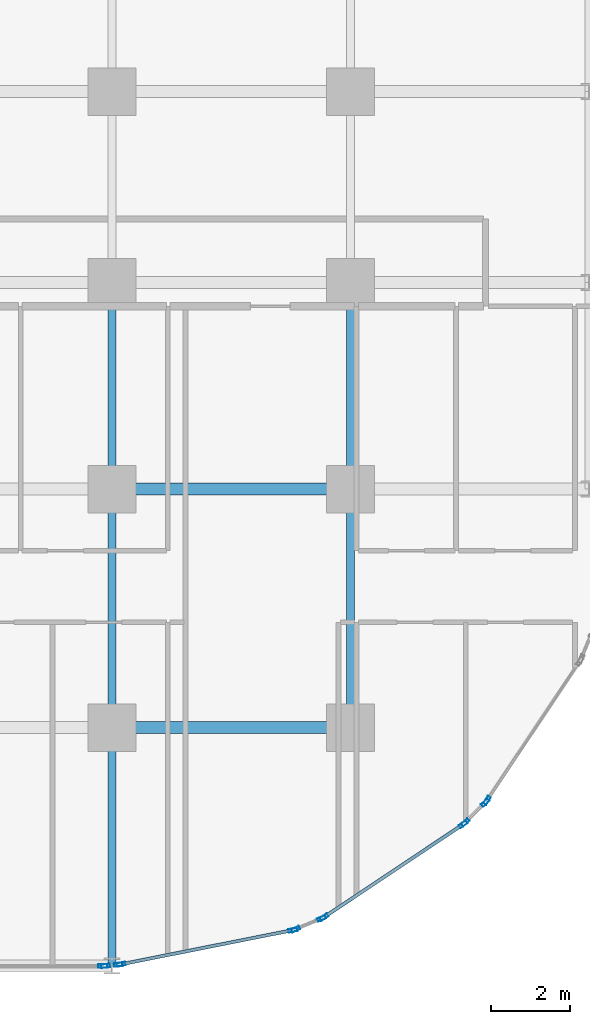
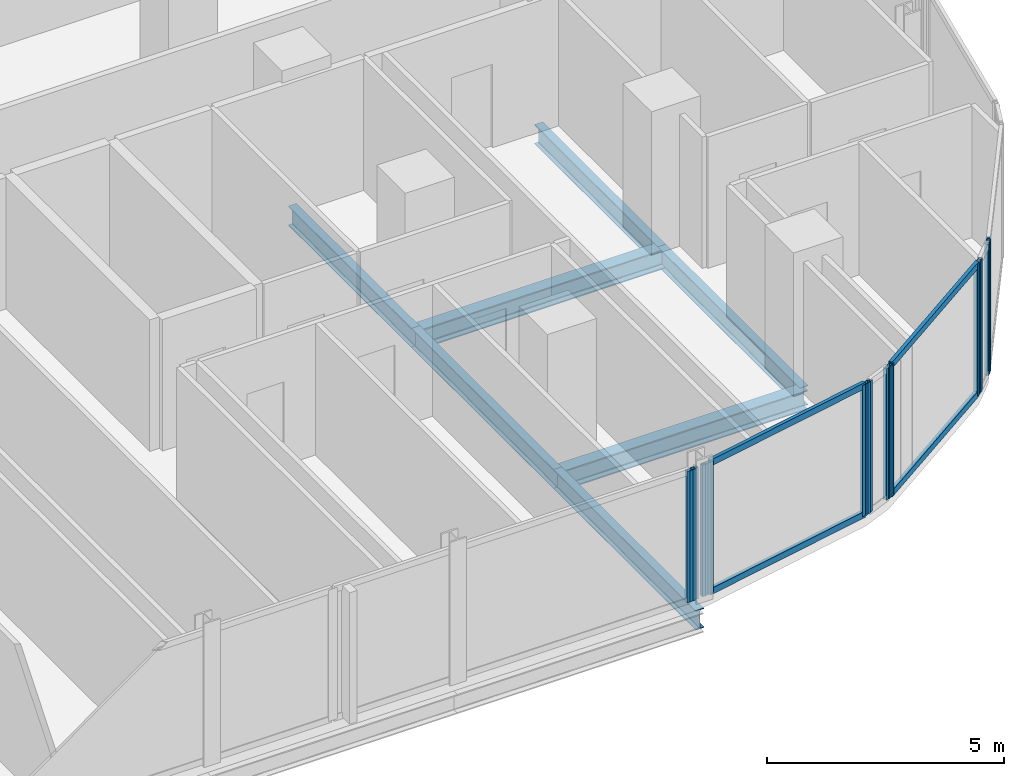
# One storey, part 10 of 34: 16 members, 7 beams, 7 elements without a shape of their own.
"""IFC4 building model written with IfcOpenShell, lengths in metres."""

from ifc_helpers import new_model, si_unit, direction, frame, origin, origin_2d, place, context, subcontext, project, spatial, hollow_rectangle, i_section, extrude, material, layer, layer_set, material_profile, profile_set, type_object, element, aggregate, save


model = new_model("IFC4")

# Units and contexts
model_context = context("Model", 3, precision=1e-05, world=origin(), true_north=direction((0.0, 1.0)))
body_context = subcontext(model_context, "Body", "Model", "MODEL_VIEW")
ifc_project = project(units=[si_unit("LENGTHUNIT", "METRE"), si_unit("AREAUNIT", "SQUARE_METRE"), si_unit("VOLUMEUNIT", "CUBIC_METRE"), si_unit("PLANEANGLEUNIT", "RADIAN"), si_unit("MASSUNIT", "GRAM", prefix="KILO")], contexts=[model_context])

# Site, building, storey
site_placement = place(None, origin())
site = spatial("IfcSite", under=ifc_project, at=site_placement, CompositionType="ELEMENT")
building_placement = place(site_placement, origin())
building = spatial("IfcBuilding", under=site, at=building_placement, Name="Keshet Zoharim Tower", CompositionType="ELEMENT")
storey_placement = place(building_placement, frame((0.0, 0.0, 53.60009765625)))
storey = spatial("IfcBuildingStorey", under=building, at=storey_placement, Name="L12", CompositionType="ELEMENT", Elevation=53.60009765625)

# Beams
ifc_material_1 = material(Name="Steel S355", Category="steel")
ifc_material_profile_1 = material_profile(ifc_material_1, i_section(OverallWidth=0.199951171875, OverallDepth=0.5, WebThickness=0.01025390625, FlangeThickness=0.01611328125, FilletRadius=0.02099609375, at=origin_2d()), Name="IPE500")
ifc_profile_set_1 = profile_set([ifc_material_profile_1], Name="Steel S355")
beam_type_1 = type_object("IfcBeamType", Name="BM-PRI-IP500", PredefinedType="BEAM", material=ifc_profile_set_1)
for number, where, z_axis, x_axis, name in (
    (1, (57.0, 0.699951171875, -0.565185546875), (0.0, 1.0, 0.0), (-1.0, 0.0, 0.0), "L12 Primary Girder Y-013"),
    (2, (57.0, 6.699951171875, -0.565185546875), (0.0, 1.0, 0.0), (-1.0, 0.0, 0.0), "L12 Primary Girder Y-014"),
):
    element("IfcBeam", number, at=place(storey_placement, frame(where, z_axis=z_axis, x_axis=x_axis)), inside=storey, type_object=beam_type_1, Name=name, PredefinedType="BEAM", context=body_context, shape_type="SweptSolid", body=[
        extrude(i_section(OverallWidth=0.199951171875, OverallDepth=0.5, WebThickness=0.01025390625, FlangeThickness=0.01611328125, FilletRadius=0.02099609375, at=origin_2d()), origin(), (0.0, 0.0, 1.0), 6.0),
    ])
beam_1_placement = place(storey_placement, frame((57.0, 12.699951171875, -0.565185546875), z_axis=(0.0, 1.0, 0.0), x_axis=(-1.0, 0.0, 0.0)))
element("IfcBeam", 3, at=beam_1_placement, inside=storey, type_object=beam_type_1, Name="L12 Primary Girder Y-015", PredefinedType="BEAM", context=body_context, shape_type="SweptSolid", body=[
    extrude(i_section(OverallWidth=0.199951171875, OverallDepth=0.5, WebThickness=0.01025390625, FlangeThickness=0.01611328125, FilletRadius=0.02099609375, at=origin_2d()), origin(), (0.0, 0.0, 1.0), 5.199951171875),
])
beam_2_placement = place(storey_placement, frame((63.0, 6.699951171875, -0.565185546875), z_axis=(0.0, 1.0, 0.0), x_axis=(-1.0, 0.0, 0.0)))
element("IfcBeam", 4, at=beam_2_placement, inside=storey, type_object=beam_type_1, Name="L12 Primary Girder Y-018", PredefinedType="BEAM", context=body_context, shape_type="SweptSolid", body=[
    extrude(i_section(OverallWidth=0.199951171875, OverallDepth=0.5, WebThickness=0.01025390625, FlangeThickness=0.01611328125, FilletRadius=0.02099609375, at=origin_2d()), origin(), (0.0, 0.0, 1.0), 6.0),
])
beam_3_placement = place(storey_placement, frame((63.0, 12.699951171875, -0.565185546875), z_axis=(0.0, 1.0, 0.0), x_axis=(-1.0, 0.0, 0.0)))
element("IfcBeam", 5, at=beam_3_placement, inside=storey, type_object=beam_type_1, Name="L12 Primary Girder Y-019", PredefinedType="BEAM", context=body_context, shape_type="SweptSolid", body=[
    extrude(i_section(OverallWidth=0.199951171875, OverallDepth=0.5, WebThickness=0.01025390625, FlangeThickness=0.01611328125, FilletRadius=0.02099609375, at=origin_2d()), origin(), (0.0, 0.0, 1.0), 5.199951171875),
])
ifc_material_profile_2 = material_profile(ifc_material_1, i_section(OverallWidth=0.300048828125, OverallDepth=0.5, WebThickness=0.014404296875, FlangeThickness=0.028076171875, FilletRadius=0.027099609375, at=origin_2d()), Name="HEB500")
ifc_profile_set_2 = profile_set([ifc_material_profile_2], Name="Steel S355")
beam_type_2 = type_object("IfcBeamType", Name="BM-WEB-HB500", PredefinedType="BEAM", material=ifc_profile_set_2)
for number, where, z_axis, x_axis, name in (
    (6, (57.0, 6.699951171875, -0.565185546875), (1.0, 0.0, 0.0), (0.0, 1.0, 0.0), "L12 Primary Girder X-010"),
    (7, (57.0, 12.699951171875, -0.565185546875), (1.0, 0.0, 0.0), (0.0, 1.0, 0.0), "L12 Primary Girder X-013"),
):
    element("IfcBeam", number, at=place(storey_placement, frame(where, z_axis=z_axis, x_axis=x_axis)), inside=storey, type_object=beam_type_2, Name=name, PredefinedType="BEAM", context=body_context, shape_type="SweptSolid", body=[
        extrude(i_section(OverallWidth=0.300048828125, OverallDepth=0.5, WebThickness=0.014404296875, FlangeThickness=0.028076171875, FilletRadius=0.027099609375, at=origin_2d()), origin(), (0.0, 0.0, 1.0), 6.0),
    ])

# Curtain wall, member
ifc_material_2 = material(Name="Aluminium 6063-T6", Category="aluminium")
ifc_layer = layer(ifc_material_2, 0.179931640625)
ifc_layer_set = layer_set([ifc_layer], Name="Aluminium 6063-T6")
curtain_wall_type = type_object("IfcCurtainWallType", Name="CW-SYS-01", PredefinedType="NOTDEFINED", material=ifc_layer_set)
curtain_wall_1_placement = place(storey_placement, origin())
curtain_wall_1 = element("IfcCurtainWall", 8, at=curtain_wall_1_placement, inside=storey, type_object=curtain_wall_type, Name="L12 Unitised Curtain Wall 20", PredefinedType="NOTDEFINED")
ifc_material_profile_3 = material_profile(ifc_material_2, hollow_rectangle(XDim=0.090087890625, YDim=0.219970703125, WallThickness=0.0048828125, at=origin_2d()), Name="MUL-90x220")
ifc_profile_set_3 = profile_set([ifc_material_profile_3], Name="Aluminium 6063-T6")
member_type_1 = type_object("IfcMemberType", Name="CWM-M22", PredefinedType="MULLION", material=ifc_profile_set_3)
member_1_placement = place(storey_placement, frame((66.432373046875, 4.8671875, 0.0), z_axis=(0.0, 0.0, 1.0), x_axis=(0.831474282335, -0.555563243758, 0.0)))
member_1 = element("IfcMember", 9, at=member_1_placement, type_object=member_type_1, Name="CW-01 mullion 2", PredefinedType="MULLION", context=body_context, shape_type="SweptSolid", body=[
    extrude(hollow_rectangle(XDim=0.090087890625, YDim=0.219970703125, WallThickness=0.0048828125, at=origin_2d()), origin(), (0.0, 0.0, 1.0), 3.385009765625),
])
aggregate(curtain_wall_1, [member_1])

# Curtain wall, members
curtain_wall_2_placement = place(storey_placement, origin())
curtain_wall_2 = element("IfcCurtainWall", 10, at=curtain_wall_2_placement, inside=storey, type_object=curtain_wall_type, Name="L12 Unitised Curtain Wall 21", PredefinedType="NOTDEFINED")
member_2_placement = place(storey_placement, frame((66.38818359375, 4.813232421875, 0.0), z_axis=(0.0, 0.0, 1.0), x_axis=(0.707106781187, -0.707106781187, 0.0)))
member_2 = element("IfcMember", 11, at=member_2_placement, type_object=member_type_1, Name="CW-01 mullion 1", PredefinedType="MULLION", context=body_context, shape_type="SweptSolid", body=[
    extrude(hollow_rectangle(XDim=0.090087890625, YDim=0.219970703125, WallThickness=0.0048828125, at=origin_2d()), origin(), (0.0, 0.0, 1.0), 3.385009765625),
])
member_3_placement = place(storey_placement, frame((65.88671875, 4.311767578125, 0.0), z_axis=(0.0, 0.0, 1.0), x_axis=(0.707106781187, -0.707106781187, 0.0)))
member_3 = element("IfcMember", 12, at=member_3_placement, type_object=member_type_1, Name="CW-01 mullion 2", PredefinedType="MULLION", context=body_context, shape_type="SweptSolid", body=[
    extrude(hollow_rectangle(XDim=0.090087890625, YDim=0.219970703125, WallThickness=0.0048828125, at=origin_2d()), origin(), (0.0, 0.0, 1.0), 3.385009765625),
])
aggregate(curtain_wall_2, [member_2, member_3])

curtain_wall_3_placement = place(storey_placement, origin())
curtain_wall_3 = element("IfcCurtainWall", 13, at=curtain_wall_3_placement, inside=storey, type_object=curtain_wall_type, Name="L12 Unitised Curtain Wall 22", PredefinedType="NOTDEFINED")
member_4_placement = place(storey_placement, frame((65.8330078125, 4.267578125, 0.0), z_axis=(0.0, 0.0, 1.0), x_axis=(0.555563243758, -0.831474282335, 0.0)))
member_4 = element("IfcMember", 14, at=member_4_placement, type_object=member_type_1, Name="CW-01 mullion 1", PredefinedType="MULLION", context=body_context, shape_type="SweptSolid", body=[
    extrude(hollow_rectangle(XDim=0.090087890625, YDim=0.219970703125, WallThickness=0.0048828125, at=origin_2d()), origin(), (0.0, 0.0, 1.0), 3.385009765625),
])
member_5_placement = place(storey_placement, frame((62.335205078125, 1.930419921875, 0.0), z_axis=(0.0, 0.0, 1.0), x_axis=(0.555563243758, -0.831474282335, 0.0)))
member_5 = element("IfcMember", 15, at=member_5_placement, type_object=member_type_1, Name="CW-01 mullion 2", PredefinedType="MULLION", context=body_context, shape_type="SweptSolid", body=[
    extrude(hollow_rectangle(XDim=0.090087890625, YDim=0.219970703125, WallThickness=0.0048828125, at=origin_2d()), origin(), (0.0, 0.0, 1.0), 3.385009765625),
])

curtain_wall_4_placement = place(storey_placement, origin())
curtain_wall_4 = element("IfcCurtainWall", 16, at=curtain_wall_4_placement, inside=storey, type_object=curtain_wall_type, Name="L12 Unitised Curtain Wall 23", PredefinedType="NOTDEFINED")
member_6_placement = place(storey_placement, frame((62.273681640625, 1.897705078125, 0.0), z_axis=(0.0, 0.0, 1.0), x_axis=(0.383068349739, -0.923720000557, 0.0)))
member_6 = element("IfcMember", 17, at=member_6_placement, type_object=member_type_1, Name="CW-01 mullion 1", PredefinedType="MULLION", context=body_context, shape_type="SweptSolid", body=[
    extrude(hollow_rectangle(XDim=0.090087890625, YDim=0.219970703125, WallThickness=0.0048828125, at=origin_2d()), origin(), (0.0, 0.0, 1.0), 3.385009765625),
])
member_7_placement = place(storey_placement, frame((61.617431640625, 1.62548828125, 0.0), z_axis=(0.0, 0.0, 1.0), x_axis=(0.383068349739, -0.923720000557, 0.0)))
member_7 = element("IfcMember", 18, at=member_7_placement, type_object=member_type_1, Name="CW-01 mullion 2", PredefinedType="MULLION", context=body_context, shape_type="SweptSolid", body=[
    extrude(hollow_rectangle(XDim=0.090087890625, YDim=0.219970703125, WallThickness=0.0048828125, at=origin_2d()), origin(), (0.0, 0.0, 1.0), 3.385009765625),
])
aggregate(curtain_wall_4, [member_6, member_7])

curtain_wall_5_placement = place(storey_placement, origin())
curtain_wall_5 = element("IfcCurtainWall", 19, at=curtain_wall_5_placement, inside=storey, type_object=curtain_wall_type, Name="L12 Unitised Curtain Wall 24", PredefinedType="NOTDEFINED")
member_8_placement = place(storey_placement, frame((61.55078125, 1.605224609375, 0.0), z_axis=(0.0, 0.0, 1.0), x_axis=(0.195171279072, -0.98076917357, 0.0)))
member_8 = element("IfcMember", 20, at=member_8_placement, type_object=member_type_1, Name="CW-01 mullion 1", PredefinedType="MULLION", context=body_context, shape_type="SweptSolid", body=[
    extrude(hollow_rectangle(XDim=0.090087890625, YDim=0.219970703125, WallThickness=0.0048828125, at=origin_2d()), origin(), (0.0, 0.0, 1.0), 3.385009765625),
])
member_9_placement = place(storey_placement, frame((57.227294921875, 0.744873046875, 0.0), z_axis=(0.0, 0.0, 1.0), x_axis=(0.195171279072, -0.98076917357, 0.0)))
member_9 = element("IfcMember", 21, at=member_9_placement, type_object=member_type_1, Name="CW-01 mullion 2", PredefinedType="MULLION", context=body_context, shape_type="SweptSolid", body=[
    extrude(hollow_rectangle(XDim=0.090087890625, YDim=0.219970703125, WallThickness=0.0048828125, at=origin_2d()), origin(), (0.0, 0.0, 1.0), 3.385009765625),
])

curtain_wall_6_placement = place(storey_placement, origin())
curtain_wall_6 = element("IfcCurtainWall", 22, at=curtain_wall_6_placement, inside=storey, type_object=curtain_wall_type, Name="L12 Unitised Curtain Wall 25", PredefinedType="NOTDEFINED")
member_10_placement = place(storey_placement, frame((57.158203125, 0.734619140625, 0.0), z_axis=(0.0, 0.0, 1.0), x_axis=(0.096976648633, -0.995286657009, 0.0)))
member_10 = element("IfcMember", 23, at=member_10_placement, type_object=member_type_1, Name="CW-01 mullion 1", PredefinedType="MULLION", context=body_context, shape_type="SweptSolid", body=[
    extrude(hollow_rectangle(XDim=0.090087890625, YDim=0.219970703125, WallThickness=0.0048828125, at=origin_2d()), origin(), (0.0, 0.0, 1.0), 3.385009765625),
])
member_11_placement = place(storey_placement, frame((56.837890625, 0.703369140625, 0.0), z_axis=(0.0, 0.0, 1.0), x_axis=(0.096976648633, -0.995286657009, 0.0)))
member_11 = element("IfcMember", 24, at=member_11_placement, type_object=member_type_1, Name="CW-01 mullion 2", PredefinedType="MULLION", context=body_context, shape_type="SweptSolid", body=[
    extrude(hollow_rectangle(XDim=0.090087890625, YDim=0.219970703125, WallThickness=0.0048828125, at=origin_2d()), origin(), (0.0, 0.0, 1.0), 3.385009765625),
])
aggregate(curtain_wall_6, [member_10, member_11])

# Curtain wall, member
curtain_wall_7_placement = place(storey_placement, origin())
curtain_wall_7 = element("IfcCurtainWall", 25, at=curtain_wall_7_placement, inside=storey, type_object=curtain_wall_type, Name="L12 Unitised Curtain Wall 26", PredefinedType="NOTDEFINED")
member_12_placement = place(storey_placement, frame((56.76806640625, 0.699951171875, 0.0), z_axis=(0.0, 0.0, 1.0), x_axis=(0.0, -1.0, 0.0)))
member_12 = element("IfcMember", 26, at=member_12_placement, type_object=member_type_1, Name="CW-01 mullion 1", PredefinedType="MULLION", context=body_context, shape_type="SweptSolid", body=[
    extrude(hollow_rectangle(XDim=0.090087890625, YDim=0.219970703125, WallThickness=0.0048828125, at=origin_2d()), origin(), (0.0, 0.0, 1.0), 3.385009765625),
])
aggregate(curtain_wall_7, [member_12])

# Member
ifc_material_profile_4 = material_profile(ifc_material_2, hollow_rectangle(XDim=0.0849609375, YDim=0.159912109375, WallThickness=0.00439453125, at=origin_2d()), Name="TRN-85x160")
ifc_profile_set_4 = profile_set([ifc_material_profile_4], Name="Aluminium 6063-T6")
member_type_2 = type_object("IfcMemberType", Name="CWT-T16", PredefinedType="USERDEFINED", material=ifc_profile_set_4)
member_13_placement = place(storey_placement, frame((65.8037109375, 4.248046875, 0.034912109375), z_axis=(-0.831477809106, -0.55555796544, 0.0), x_axis=(0.55555796544, -0.831477809106, 0.0)))
member_13 = element("IfcMember", 27, at=member_13_placement, type_object=member_type_2, Name="CW-01 transom 1.1", ObjectType="TRANSOM", PredefinedType="USERDEFINED", context=body_context, shape_type="SweptSolid", body=[
    extrude(hollow_rectangle(XDim=0.0849609375, YDim=0.159912109375, WallThickness=0.00439453125, at=origin_2d()), origin(), (0.0, 0.0, 1.0), 4.136474609375),
])

member_14_placement = place(storey_placement, frame((65.8037109375, 4.248046875, 3.349853515625), z_axis=(-0.831477809106, -0.55555796544, 0.0), x_axis=(0.55555796544, -0.831477809106, 0.0)))
member_14 = element("IfcMember", 28, at=member_14_placement, type_object=member_type_2, Name="CW-01 transom 1.2", ObjectType="TRANSOM", PredefinedType="USERDEFINED", context=body_context, shape_type="SweptSolid", body=[
    extrude(hollow_rectangle(XDim=0.0849609375, YDim=0.159912109375, WallThickness=0.00439453125, at=origin_2d()), origin(), (0.0, 0.0, 1.0), 4.136474609375),
])

aggregate(curtain_wall_3, [member_4, member_5, member_13, member_14])

member_15_placement = place(storey_placement, frame((61.516357421875, 1.598388671875, 0.034912109375), z_axis=(-0.980768540739, -0.195174459131, 0.0), x_axis=(0.195174459131, -0.980768540739, 0.0)))
member_15 = element("IfcMember", 29, at=member_15_placement, type_object=member_type_2, Name="CW-01 transom 1.1", ObjectType="TRANSOM", PredefinedType="USERDEFINED", context=body_context, shape_type="SweptSolid", body=[
    extrude(hollow_rectangle(XDim=0.0849609375, YDim=0.159912109375, WallThickness=0.00439453125, at=origin_2d()), origin(), (0.0, 0.0, 1.0), 4.338134765625),
])

member_16_placement = place(storey_placement, frame((61.516357421875, 1.598388671875, 3.349853515625), z_axis=(-0.980768540739, -0.195174459131, 0.0), x_axis=(0.195174459131, -0.980768540739, 0.0)))
member_16 = element("IfcMember", 30, at=member_16_placement, type_object=member_type_2, Name="CW-01 transom 1.2", ObjectType="TRANSOM", PredefinedType="USERDEFINED", context=body_context, shape_type="SweptSolid", body=[
    extrude(hollow_rectangle(XDim=0.0849609375, YDim=0.159912109375, WallThickness=0.00439453125, at=origin_2d()), origin(), (0.0, 0.0, 1.0), 4.338134765625),
])

aggregate(curtain_wall_5, [member_8, member_9, member_15, member_16])

save(model, "model.ifc")
